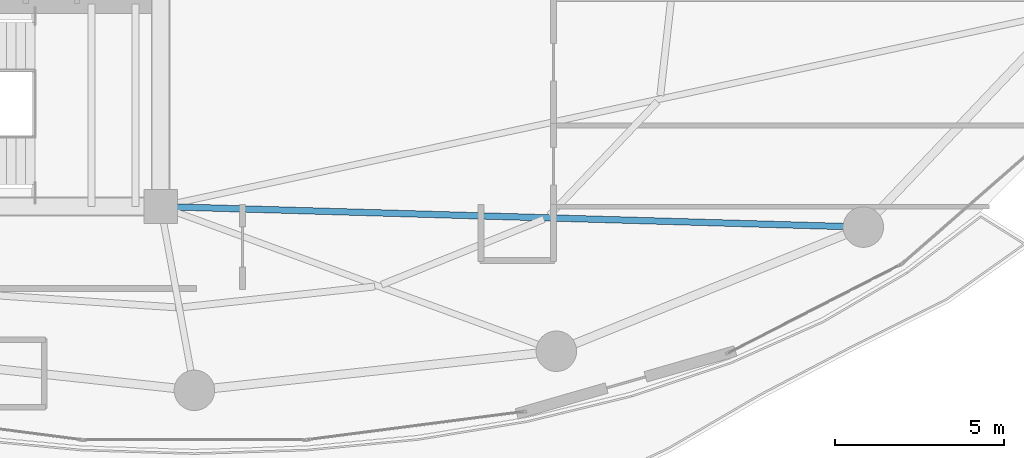
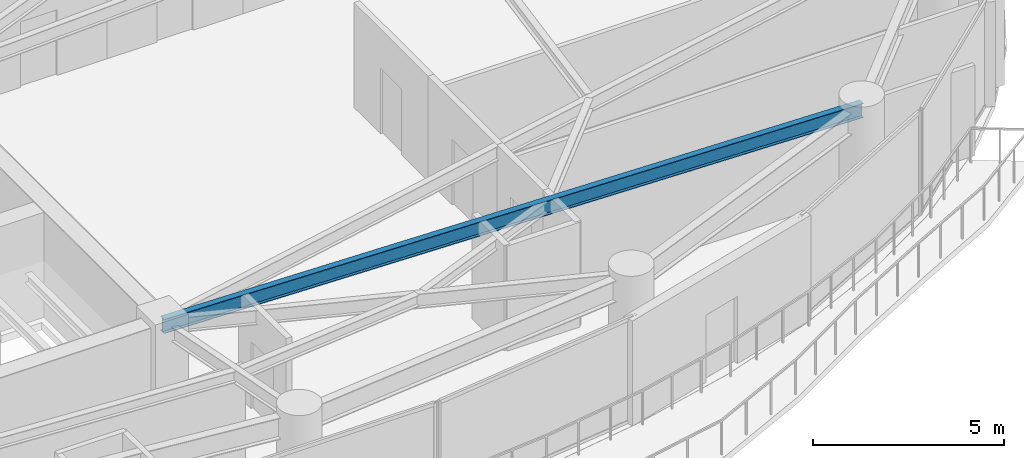
# One storey, part 10 of 28: 1 beam.
"""IFC4 building model written with IfcOpenShell, lengths in metres."""

from ifc_helpers import new_model, si_unit, direction, frame, origin, origin_2d, place, context, subcontext, project, spatial, i_section, extrude, material, material_profile, profile_set, type_object, element, save


model = new_model("IFC4")

# Units and contexts
model_context = context("Model", 3, precision=1e-05, world=origin(), true_north=direction((0.0, 1.0)))
body_context = subcontext(model_context, "Body", "Model", "MODEL_VIEW")
ifc_project = project(units=[si_unit("LENGTHUNIT", "METRE"), si_unit("AREAUNIT", "SQUARE_METRE"), si_unit("VOLUMEUNIT", "CUBIC_METRE"), si_unit("PLANEANGLEUNIT", "RADIAN"), si_unit("MASSUNIT", "GRAM", prefix="KILO")], contexts=[model_context])

# Site, building, storey
site_placement = place(None, origin())
site = spatial("IfcSite", under=ifc_project, at=site_placement, CompositionType="ELEMENT")
building_placement = place(site_placement, origin())
building = spatial("IfcBuilding", under=site, at=building_placement, Name="Kazevale Care Tower and Concert Hall", CompositionType="ELEMENT")
storey_placement = place(building_placement, frame((0.0, 0.0, 142.199951171875)))
storey = spatial("IfcBuildingStorey", under=building, at=storey_placement, Name="L37", CompositionType="ELEMENT", Elevation=142.199951171875)

# Beam
ifc_material = material(Name="Steel ASTM A572 Gr 50", Category="steel")
ifc_material_profile = material_profile(ifc_material, i_section(OverallWidth=0.19091796875, OverallDepth=0.4599609375, WebThickness=0.010009765625, FlangeThickness=0.01611328125, at=origin_2d()), Name="W460x82")
ifc_profile_set = profile_set([ifc_material_profile], Name="Steel ASTM A572 Gr 50")
beam_type = type_object("IfcBeamType", Name="Radial Floor Beam W460x82", PredefinedType="BEAM", material=ifc_profile_set)
beam_placement = place(storey_placement, frame((44.0, 23.60009765625, 3.130126953125), z_axis=(0.99957133157, -0.029277177187, 0.0), x_axis=(0.029277177187, 0.99957133157, 0.0)))
element("IfcBeam", 1, at=beam_placement, inside=storey, type_object=beam_type, Name="beam:L37:rad:15", PredefinedType="BEAM", context=body_context, shape_type="SweptSolid", body=[
    extrude(i_section(OverallWidth=0.19091796875, OverallDepth=0.4599609375, WebThickness=0.010009765625, FlangeThickness=0.01611328125, at=origin_2d()), origin(), (0.0, 0.0, 1.0), 20.839111328125),
])

save(model, "model.ifc")
